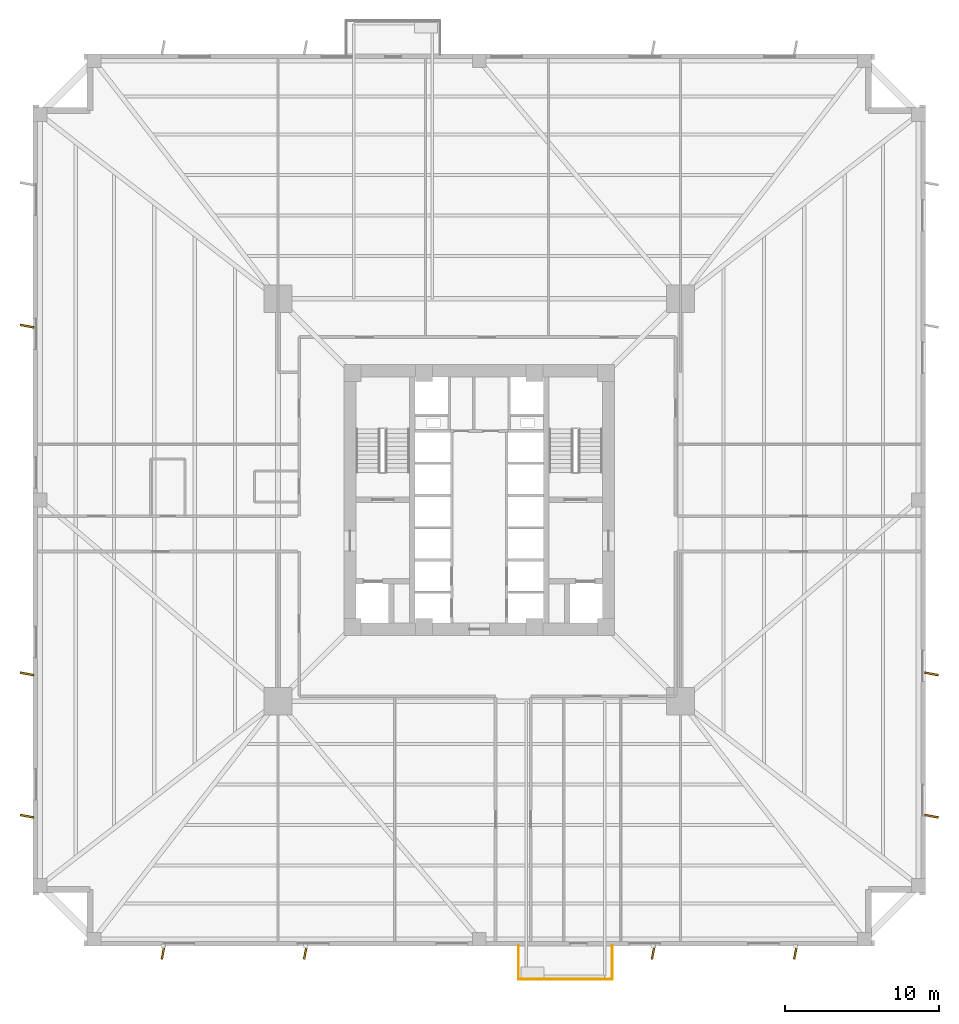
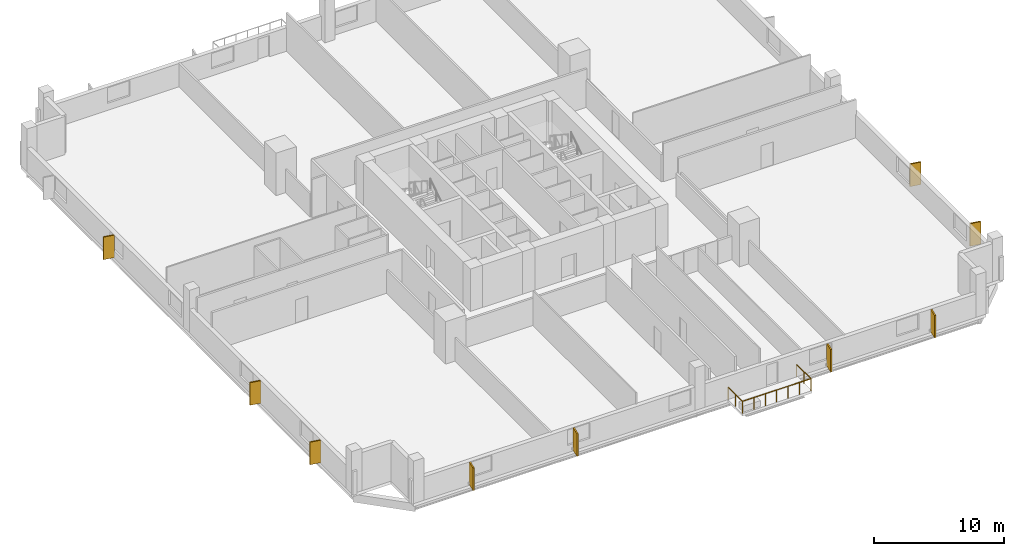
# One storey, part 6 of 8: 9 coverings, 3 railings.
"""IFC4 building model written with IfcOpenShell, lengths in metres."""

from ifc_helpers import new_model, si_unit, direction, frame, origin, origin_2d, place, context, subcontext, project, spatial, rectangle, circle, extrude, source, transform, mapped, material, layer, layer_set, type_object, element, save


model = new_model("IFC4")

# Units and contexts
model_context = context("Model", 3, precision=1e-05, world=origin(), true_north=direction((0.0, 1.0)))
body_context = subcontext(model_context, "Body", "Model", "MODEL_VIEW")
ifc_project = project(units=[si_unit("LENGTHUNIT", "METRE"), si_unit("AREAUNIT", "SQUARE_METRE"), si_unit("VOLUMEUNIT", "CUBIC_METRE"), si_unit("PLANEANGLEUNIT", "RADIAN"), si_unit("MASSUNIT", "GRAM", prefix="KILO"), si_unit("THERMODYNAMICTEMPERATUREUNIT", "KELVIN")], contexts=[model_context])

# Site, building, storey
site_placement = place(None, origin())
site = spatial("IfcSite", under=ifc_project, at=site_placement, CompositionType="ELEMENT")
building_placement = place(site_placement, origin())
building = spatial("IfcBuilding", under=site, at=building_placement, Name="Kosmvard Interchange Tower", CompositionType="ELEMENT")
storey_placement = place(building_placement, frame((0.0, 0.0, 74.0)))
storey = spatial("IfcBuildingStorey", under=building, at=storey_placement, Name="L17", CompositionType="ELEMENT", Elevation=74.0)

# Railings
ifc_material_1 = material(Name="Steel S355", Category="steel")
railing_type = type_object("IfcRailingType", Name="Observation & Balcony Glass-Infill Balustrade 1150", PredefinedType="BALUSTRADE", material=ifc_material_1)
shared_shape_1 = source(origin(), body_context, "Body", "SweptSolid", [
    extrude(circle(Radius=0.02392578125, at=origin_2d()), frame((0.0, 0.0, 1.1259765625), z_axis=(0.0, -1.0, 0.0), x_axis=(1.0, 0.0, 0.0)), (0.0, 0.0, 1.0), 2.199951171875),
    extrude(circle(Radius=0.02099609375, at=origin_2d()), origin(), (0.0, 0.0, 1.0), 1.101806640625),
    extrude(circle(Radius=0.02099609375, at=origin_2d()), frame((0.0, -1.10009765625, 0.0)), (0.0, 0.0, 1.0), 1.101806640625),
    extrude(circle(Radius=0.02099609375, at=origin_2d()), frame((0.0, -2.199951171875, 0.0)), (0.0, 0.0, 1.0), 1.101806640625),
])
railing_1_placement = place(storey_placement, frame((2.550048828125, -28.949951171875, 0.0)))
element("IfcRailing", 1, at=railing_1_placement, inside=storey, type_object=railing_type, Name="L17 Outdoor Terrace Guard BAL-L17-SW-A", PredefinedType="BALUSTRADE", context=body_context, shape_type="MappedRepresentation", body=[
    mapped(shared_shape_1, transform((0.0, 0.0, 0.0), scale=1.0)),
])
shared_shape_2 = source(origin(), body_context, "Body", "SweptSolid", [
    extrude(circle(Radius=0.02392578125, at=origin_2d()), frame((0.0, 0.0, 1.1259765625), z_axis=(1.0, 0.0, 0.0), x_axis=(0.0, 1.0, 0.0)), (0.0, 0.0, 1.0), 6.099853515625),
    extrude(circle(Radius=0.02099609375, at=origin_2d()), origin(), (0.0, 0.0, 1.0), 1.101806640625),
    extrude(circle(Radius=0.02099609375, at=origin_2d()), frame((1.0166015625, 0.0, 0.0)), (0.0, 0.0, 1.0), 1.101806640625),
    extrude(circle(Radius=0.02099609375, at=origin_2d()), frame((2.033203125, 0.0, 0.0)), (0.0, 0.0, 1.0), 1.101806640625),
    extrude(circle(Radius=0.02099609375, at=origin_2d()), frame((3.0498046875, 0.0, 0.0)), (0.0, 0.0, 1.0), 1.101806640625),
    extrude(circle(Radius=0.02099609375, at=origin_2d()), frame((4.066650390625, 0.0, 0.0)), (0.0, 0.0, 1.0), 1.101806640625),
    extrude(circle(Radius=0.02099609375, at=origin_2d()), frame((5.083251953125, 0.0, 0.0)), (0.0, 0.0, 1.0), 1.101806640625),
    extrude(circle(Radius=0.02099609375, at=origin_2d()), frame((6.099853515625, 0.0, 0.0)), (0.0, 0.0, 1.0), 1.101806640625),
])
railing_2_placement = place(storey_placement, frame((2.550048828125, -31.14990234375, 0.0)))
element("IfcRailing", 2, at=railing_2_placement, inside=storey, type_object=railing_type, Name="L17 Outdoor Terrace Guard BAL-L17-SW-B", PredefinedType="BALUSTRADE", context=body_context, shape_type="MappedRepresentation", body=[
    mapped(shared_shape_2, transform((0.0, 0.0, 0.0), scale=1.0)),
])
shared_shape_3 = source(origin(), body_context, "Body", "SweptSolid", [
    extrude(circle(Radius=0.02392578125, at=origin_2d()), frame((0.0, 0.0, 1.1259765625), z_axis=(0.0, 1.0, 0.0), x_axis=(-1.0, 0.0, 0.0)), (0.0, 0.0, 1.0), 2.199951171875),
    extrude(circle(Radius=0.02099609375, at=origin_2d()), origin(), (0.0, 0.0, 1.0), 1.101806640625),
    extrude(circle(Radius=0.02099609375, at=origin_2d()), frame((0.0, 1.10009765625, 0.0)), (0.0, 0.0, 1.0), 1.101806640625),
    extrude(circle(Radius=0.02099609375, at=origin_2d()), frame((0.0, 2.199951171875, 0.0)), (0.0, 0.0, 1.0), 1.101806640625),
])
railing_3_placement = place(storey_placement, frame((8.64990234375, -31.14990234375, 0.0)))
element("IfcRailing", 3, at=railing_3_placement, inside=storey, type_object=railing_type, Name="L17 Outdoor Terrace Guard BAL-L17-SW-C", PredefinedType="BALUSTRADE", context=body_context, shape_type="MappedRepresentation", body=[
    mapped(shared_shape_3, transform((0.0, 0.0, 0.0), scale=1.0)),
])

# Coverings
ifc_material_2 = material(Name="Architectural anodised aluminium", Category="aluminium")
ifc_layer = layer(ifc_material_2, 0.1201171875, Name="Architectural anodised aluminium")
ifc_layer_set = layer_set([ifc_layer], Name="Architectural anodised aluminium")
covering_type = type_object("IfcCoveringType", Name="Rotating Vertical Sun-Breaker Fin 900x120 Aluminium", PredefinedType="CLADDING", material=ifc_layer_set)
shared_shape_4 = source(origin(), body_context, "Body", "SweptSolid", [
    extrude(rectangle(XDim=0.89990234375, YDim=0.1201171875, at=origin_2d()), origin(), (0.0, 0.0, 1.0), 2.1201171875),
])
for number, where, z_axis, x_axis, name in (
    (4, (-20.552001953125, -29.39990234375, 0.0400390625), (0.0, 0.0, 1.0), (-0.18377979323, -0.982967439746, 0.0), "L17 Rotating Vertical Sun-Breaker Fin 01"),
    (5, (-11.3037109375, -29.39990234375, 0.0400390625), (0.0, 0.0, 1.0), (-0.18377979323, -0.982967439746, 0.0), "L17 Rotating Vertical Sun-Breaker Fin 02"),
    (6, (11.3037109375, -29.39990234375, 0.0400390625), (0.0, 0.0, 1.0), (-0.18377979323, -0.982967439746, 0.0), "L17 Rotating Vertical Sun-Breaker Fin 03"),
    (7, (20.552001953125, -29.39990234375, 0.0400390625), (0.0, 0.0, 1.0), (-0.18377979323, -0.982967439746, 0.0), "L17 Rotating Vertical Sun-Breaker Fin 04"),
    (8, (29.39990234375, -20.552001953125, 0.0400390625), (0.0, 0.0, 1.0), (0.982967439746, -0.18377979323, 0.0), "L17 Rotating Vertical Sun-Breaker Fin 05"),
    (9, (29.39990234375, -11.3037109375, 0.0400390625), (0.0, 0.0, 1.0), (0.982967439746, -0.18377979323, 0.0), "L17 Rotating Vertical Sun-Breaker Fin 06"),
    (10, (-29.39990234375, 11.3037109375, 0.0400390625), (0.0, 0.0, 1.0), (-0.982967439746, 0.18377979323, 0.0), "L17 Rotating Vertical Sun-Breaker Fin 14"),
    (11, (-29.39990234375, -11.3037109375, 0.0400390625), (0.0, 0.0, 1.0), (-0.982967439746, 0.18377979323, 0.0), "L17 Rotating Vertical Sun-Breaker Fin 15"),
    (12, (-29.39990234375, -20.552001953125, 0.0400390625), (0.0, 0.0, 1.0), (-0.982967439746, 0.18377979323, 0.0), "L17 Rotating Vertical Sun-Breaker Fin 16"),
):
    element("IfcCovering", number, at=place(storey_placement, frame(where, z_axis=z_axis, x_axis=x_axis)), inside=storey, type_object=covering_type, Name=name, PredefinedType="CLADDING", context=body_context, shape_type="MappedRepresentation", body=[
        mapped(shared_shape_4, transform((0.0, 0.0, 0.0), scale=1.0)),
    ])

save(model, "model.ifc")
